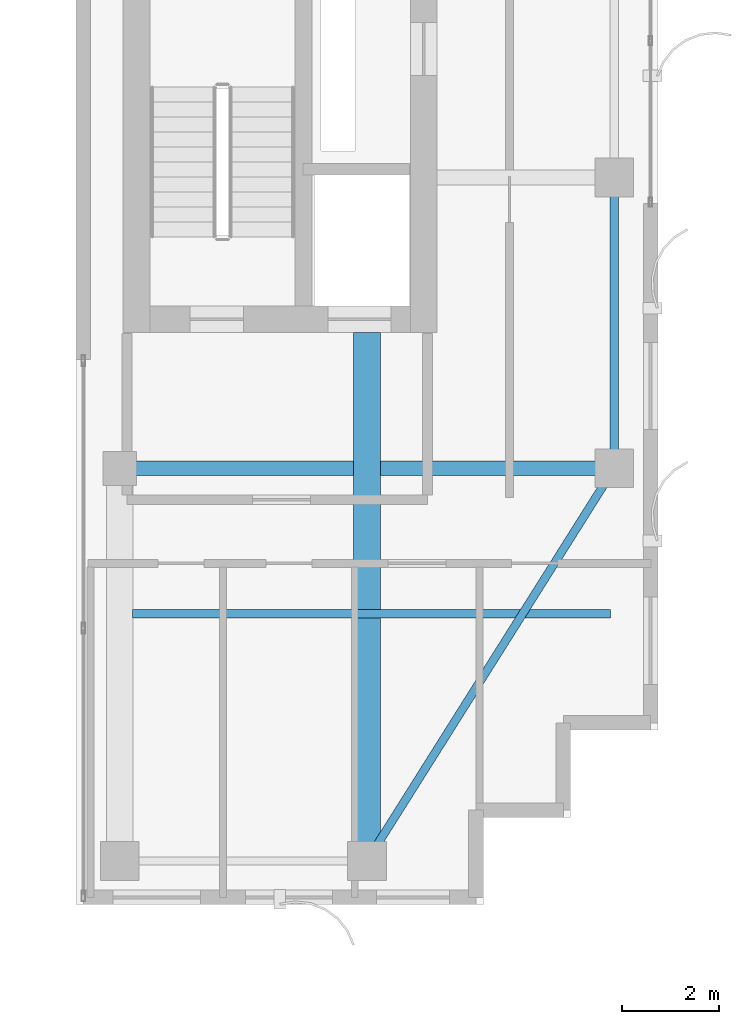
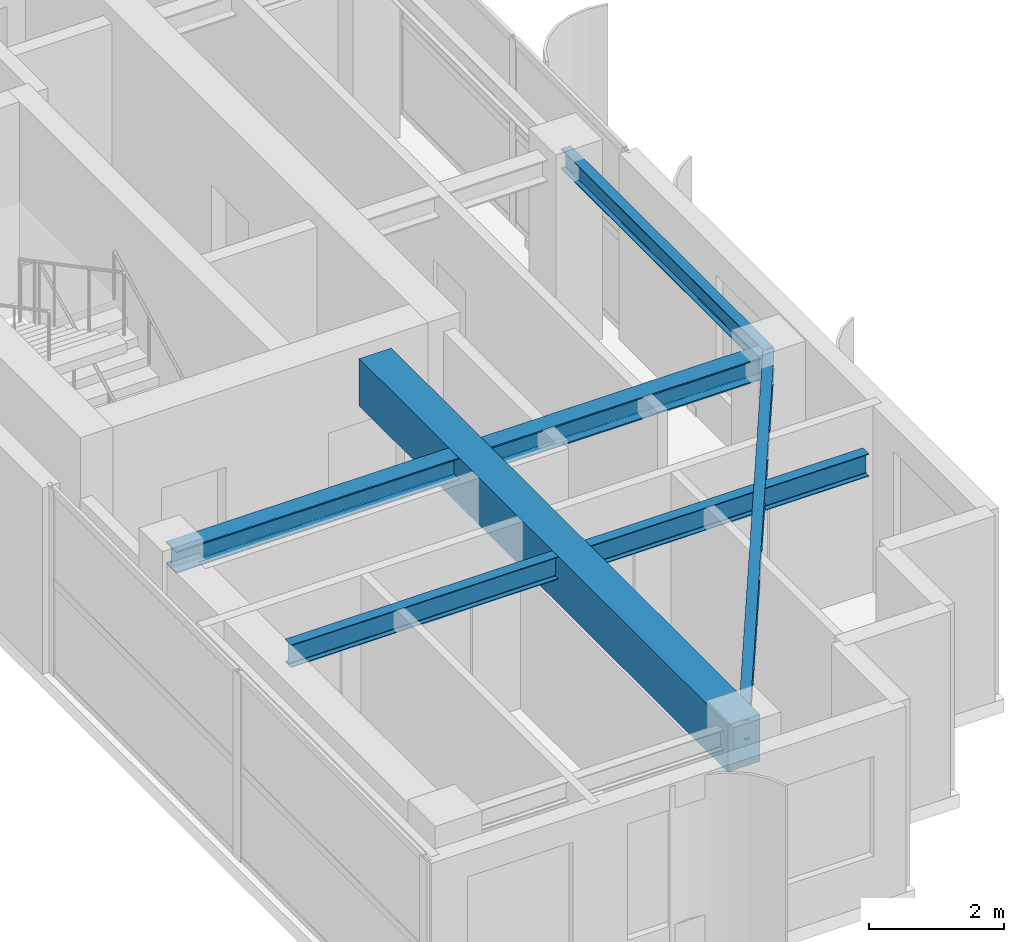
# One storey, part 11 of 22: 5 beams.
"""IFC4 building model written with IfcOpenShell, lengths in metres."""

import ifcopenshell
import ifcopenshell.guid

model = None  # the IFC model being written
_history = None  # IfcOwnerHistory: only IFC2X3 demands one
_inside = {}  # id of a spatial element -> (the spatial element, [elements in it])
_under = {}  # id of a project, library or spatial element -> (it, [spatial elements below it])
_declared = {}  # id of a project -> (the project, [libraries it declares])
_typed = {}  # id of a type object -> (the type object, [elements of that type])
_made_of = {}  # id of a material, layer set ... -> (it, [elements and type objects made of it])


def new_model(schema):
    """Start an empty IFC model of exactly this schema.

    Asked for "IFC4X3", IfcOpenShell would pick the latest addendum, in which some entities
    have other attributes; the version numbers below select the first issue.
    IFC2X3 requires an IfcOwnerHistory on every rooted entity: one is made here for all.
    """
    global model, _history
    if schema == "IFC4X3":
        model = ifcopenshell.file(schema_version=(4, 3, 0, 0))
    else:
        model = ifcopenshell.file(schema=schema)
    _inside.clear()
    _under.clear()
    _declared.clear()
    _typed.clear()
    _made_of.clear()
    _history = None
    if model.schema == "IFC2X3":
        org = make("IfcOrganization", Name="unknown")
        user = make(
            "IfcPersonAndOrganization",
            ThePerson=make("IfcPerson", FamilyName="unknown"),
            TheOrganization=org,
        )
        app = make(
            "IfcApplication",
            ApplicationDeveloper=org,
            Version="unknown",
            ApplicationFullName="unknown",
            ApplicationIdentifier="unknown",
        )
        _history = make(
            "IfcOwnerHistory",
            OwningUser=user,
            OwningApplication=app,
            ChangeAction="ADDED",
            CreationDate=0,
        )
    return model


def make(cls, **values):
    """One entity of the class cls with the attributes given. An attribute that is None is left unset."""
    return model.create_entity(
        cls, **{name: value for name, value in values.items() if value is not None}
    )


def rooted(cls, **values):
    """An entity with a GlobalId (a new one), such as an element, a storey or a relation."""
    return make(cls, GlobalId=ifcopenshell.guid.new(), OwnerHistory=_history, **values)


def si_unit(unit_type, name, prefix=None):
    """IfcSIUnit, for example si_unit("LENGTHUNIT", "METRE", prefix="MILLI")."""
    return make("IfcSIUnit", UnitType=unit_type, Prefix=prefix, Name=name)


def assignment(units):
    """IfcUnitAssignment: the units of a project."""
    return None if units is None else make("IfcUnitAssignment", Units=units)


def point(xyz):
    """IfcCartesianPoint."""
    return None if xyz is None else make("IfcCartesianPoint", Coordinates=xyz)


def direction(xyz):
    """IfcDirection."""
    return None if xyz is None else make("IfcDirection", DirectionRatios=xyz)


def frame(location, z_axis=None, x_axis=None):
    """IfcAxis2Placement3D, a coordinate frame: its origin and axes. An axis left out is left unset."""
    return make(
        "IfcAxis2Placement3D",
        Location=point(location),
        Axis=direction(z_axis),
        RefDirection=direction(x_axis),
    )


def frame_2d(location, x_axis=None):
    """IfcAxis2Placement2D, a coordinate frame in the plane: its origin and x axis."""
    return make(
        "IfcAxis2Placement2D", Location=point(location), RefDirection=direction(x_axis)
    )


def origin():
    """The frame at (0, 0, 0) with its axes left unset."""
    return frame((0.0, 0.0, 0.0))


def origin_2d():
    """The frame at (0, 0) in the plane with its x axis left unset."""
    return frame_2d((0.0, 0.0))


def place(relative_to, where):
    """IfcLocalPlacement: puts the frame where relative to a parent placement (None: the world)."""
    return make(
        "IfcLocalPlacement", PlacementRelTo=relative_to, RelativePlacement=where
    )


def context(
    kind, dimensions, precision=None, world=None, true_north=None, identifier=None
):
    """IfcGeometricRepresentationContext, for example the 3D "Model" context."""
    return make(
        "IfcGeometricRepresentationContext",
        ContextIdentifier=identifier,
        ContextType=kind,
        CoordinateSpaceDimension=dimensions,
        Precision=precision,
        WorldCoordinateSystem=world,
        TrueNorth=true_north,
    )


def subcontext(parent, identifier, kind, view, scale=None):
    """IfcGeometricRepresentationSubContext, for example "Body" below "Model"."""
    return make(
        "IfcGeometricRepresentationSubContext",
        ContextIdentifier=identifier,
        ContextType=kind,
        ParentContext=parent,
        TargetScale=scale,
        TargetView=view,
    )


def project(units=None, contexts=None):
    """IfcProject with its units and contexts."""
    return rooted(
        "IfcProject",
        Name="project",
        RepresentationContexts=contexts,
        UnitsInContext=assignment(units),
    )


def spatial(cls, under=None, at=None, **own):
    """A site, building, storey or space (cls), placed at a placement, below another one or the project."""
    s = rooted(cls, ObjectPlacement=at, **own)
    if under is not None:
        _under.setdefault(under.id(), (under, []))[1].append(s)
    return s


def profile(cls, at=None, kind="AREA", **sizes):
    """A parametric profile (cls). Its sizes go by their IFC names, for example OverallWidth=200.0."""
    return make(cls, ProfileType=kind, Position=at, **sizes)


def rectangle(**sizes):
    """IfcRectangleProfileDef."""
    return profile("IfcRectangleProfileDef", **sizes)


def i_section(**sizes):
    """IfcIShapeProfileDef."""
    return profile("IfcIShapeProfileDef", **sizes)


def extrude(swept, where, along, depth):
    """IfcExtrudedAreaSolid: the profile swept, set in the frame where, extruded along a direction by depth."""
    return make(
        "IfcExtrudedAreaSolid",
        SweptArea=swept,
        Position=where,
        ExtrudedDirection=direction(along),
        Depth=depth,
    )


def shape(context_of_items, identifier, shape_type, items):
    """IfcShapeRepresentation: the items that make up one representation, for example the "Body"."""
    return make(
        "IfcShapeRepresentation",
        ContextOfItems=context_of_items,
        RepresentationIdentifier=identifier,
        RepresentationType=shape_type,
        Items=items,
    )


def source(mapping_origin, context_of_items, identifier, shape_type, items):
    """IfcRepresentationMap: a shape defined once, which mapped items show again and again."""
    return make(
        "IfcRepresentationMap",
        MappingOrigin=mapping_origin,
        MappedRepresentation=shape(context_of_items, identifier, shape_type, items),
    )


def transform(
    local_origin,
    x_axis=None,
    y_axis=None,
    z_axis=None,
    scale=None,
    scale2=None,
    scale3=None,
    uniform=True,
):
    """IfcCartesianTransformationOperator3D, or its non-uniform kind. x_axis, y_axis, z_axis: its Axis1, 2, 3."""
    if uniform:
        return make(
            "IfcCartesianTransformationOperator3D",
            Axis1=direction(x_axis),
            Axis2=direction(y_axis),
            LocalOrigin=point(local_origin),
            Scale=scale,
            Axis3=direction(z_axis),
        )
    return make(
        "IfcCartesianTransformationOperator3DnonUniform",
        Axis1=direction(x_axis),
        Axis2=direction(y_axis),
        LocalOrigin=point(local_origin),
        Scale=scale,
        Axis3=direction(z_axis),
        Scale2=scale2,
        Scale3=scale3,
    )


def mapped(mapping_source, mapping_target):
    """IfcMappedItem: shows the shape of a source again, moved by a transform."""
    return make(
        "IfcMappedItem", MappingSource=mapping_source, MappingTarget=mapping_target
    )


def material(Name=None, Category=None):
    """IfcMaterial."""
    return make("IfcMaterial", Name=Name, Category=Category)


def material_profile(
    of_material, cross_section, Name=None, Category=None, Priority=None
):
    """IfcMaterialProfile: a cross section and its material."""
    return make(
        "IfcMaterialProfile",
        Name=Name,
        Material=of_material,
        Profile=cross_section,
        Priority=Priority,
        Category=Category,
    )


def profile_set(profiles, Name=None, composite=None):
    """IfcMaterialProfileSet."""
    return make(
        "IfcMaterialProfileSet",
        Name=Name,
        MaterialProfiles=profiles,
        CompositeProfile=composite,
    )


def made_of(thing, what):
    """Note that an element or type object is made of a material, layer set ...; save() writes the relation."""
    if what is not None:
        _made_of.setdefault(what.id(), (what, []))[1].append(thing)
    return thing


def type_object(cls, material=None, **own):
    """A type object (cls), such as IfcWallType, which elements share."""
    return made_of(rooted(cls, **own), material)


def element(
    cls,
    number,
    at=None,
    inside=None,
    cuts=None,
    type_object=None,
    material=None,
    context=None,
    identifier="Body",
    shape_type=None,
    held_by="IfcProductDefinitionShape",
    body=None,
    shapes=None,
    **own,
):
    """One element of the class cls, such as IfcWall. Its Tag is "e" and its number.

    at: its placement. inside: the storey or other place that contains it. cuts: it is an
    opening in that element (IfcRelVoidsElement). A single representation is given by context,
    identifier, shape_type and body (its items); several are given by shapes. held_by: the class
    of the entity that holds the representations. save() writes the other relations.
    """
    e = rooted(cls, Tag="e%d" % number, ObjectPlacement=at, **own)
    if body is not None:
        shapes = [shape(context, identifier, shape_type, body)]
    if shapes is not None:
        e.Representation = make(held_by, Representations=shapes)
    if inside is not None:
        _inside.setdefault(inside.id(), (inside, []))[1].append(e)
    if cuts is not None:
        rooted(
            "IfcRelVoidsElement", RelatingBuildingElement=cuts, RelatedOpeningElement=e
        )
    if type_object is not None:
        _typed.setdefault(type_object.id(), (type_object, []))[1].append(e)
    return made_of(e, material)


def aggregate(whole, parts):
    """IfcRelAggregates: a whole, such as a stair, and the parts it consists of."""
    return rooted("IfcRelAggregates", RelatingObject=whole, RelatedObjects=parts)


def save(model, path):
    """Write the relations noted so far, then the file.

    IfcRelAggregates (storeys below a building ...), IfcRelContainedInSpatialStructure (elements
    in a storey), IfcRelDefinesByType, IfcRelAssociatesMaterial and IfcRelDeclares: one each for
    every whole, place, type object, material and project.
    """
    for whole, parts in _under.values():
        aggregate(whole, parts)
    for where, things in _inside.values():
        rooted(
            "IfcRelContainedInSpatialStructure",
            RelatedElements=things,
            RelatingStructure=where,
        )
    for kind, things in _typed.values():
        rooted("IfcRelDefinesByType", RelatedObjects=things, RelatingType=kind)
    for what, things in _made_of.values():
        rooted("IfcRelAssociatesMaterial", RelatedObjects=things, RelatingMaterial=what)
    for by, libraries in _declared.values():
        rooted("IfcRelDeclares", RelatingContext=by, RelatedDefinitions=libraries)
    model.write(path)


model = new_model("IFC4")

# Units and contexts
model_context = context("Model", 3, precision=1e-05, world=origin(), true_north=direction((0.0, 1.0)))
body_context = subcontext(model_context, "Body", "Model", "MODEL_VIEW")
ifc_project = project(units=[si_unit("LENGTHUNIT", "METRE"), si_unit("AREAUNIT", "SQUARE_METRE"), si_unit("VOLUMEUNIT", "CUBIC_METRE"), si_unit("PLANEANGLEUNIT", "RADIAN"), si_unit("MASSUNIT", "GRAM", prefix="KILO")], contexts=[model_context])

# Site, building, storey
site_placement = place(None, origin())
site = spatial("IfcSite", under=ifc_project, at=site_placement, CompositionType="ELEMENT")
building_placement = place(site_placement, origin())
building = spatial("IfcBuilding", under=site, at=building_placement, Name="Khoralis Quay Care Tower", CompositionType="ELEMENT")
storey_placement = place(building_placement, frame((0.0, 0.0, 256.5)))
storey = spatial("IfcBuildingStorey", under=building, at=storey_placement, Name="L67", CompositionType="ELEMENT", Elevation=256.5)

# Beams
ifc_material_1 = material(Name="Steel S355", Category="steel")
ifc_material_profile_1 = material_profile(ifc_material_1, i_section(OverallWidth=0.169921875, OverallDepth=0.360107421875, WebThickness=0.008056640625, FlangeThickness=0.0126953125, FilletRadius=0.01806640625, at=origin_2d()), Name="Steel S355")
ifc_profile_set_1 = profile_set([ifc_material_profile_1], Name="Steel S355")
beam_type_1 = type_object("IfcBeamType", Name="BM-IPE360", PredefinedType="SPANDREL", material=ifc_profile_set_1)
shared_shape_1 = source(origin(), body_context, "Body", "SweptSolid", [
    extrude(i_section(OverallWidth=0.169921875, OverallDepth=0.360107421875, WebThickness=0.008056640625, FlangeThickness=0.0126953125, FilletRadius=0.01806640625, at=origin_2d()), origin(), (0.0, 0.0, 1.0), 6.0),
])
beam_1_placement = place(storey_placement, frame((41.10009765625, 12.0, 3.179931640625), z_axis=(0.0, 1.0, 0.0), x_axis=(-1.0, 0.0, 0.0)))
element("IfcBeam", 1, at=beam_1_placement, inside=storey, type_object=beam_type_1, Name="BM-TSP-L67-09", PredefinedType="SPANDREL", context=body_context, shape_type="MappedRepresentation", body=[
    mapped(shared_shape_1, transform((0.0, 0.0, 0.0), scale=1.0)),
])
shared_shape_2 = source(origin(), body_context, "Body", "SweptSolid", [
    extrude(i_section(OverallWidth=0.169921875, OverallDepth=0.360107421875, WebThickness=0.008056640625, FlangeThickness=0.0126953125, FilletRadius=0.01806640625, at=origin_2d()), origin(), (0.0, 0.0, 1.0), 9.572021484375),
])
beam_2_placement = place(storey_placement, frame((36.0, 3.89990234375, 3.179931640625), z_axis=(0.532815975602, 0.846231136359, 0.0), x_axis=(-0.846231136359, 0.532815975602, 0.0)))
element("IfcBeam", 2, at=beam_2_placement, inside=storey, type_object=beam_type_1, Name="BM-TCR-L67-14", PredefinedType="SPANDREL", context=body_context, shape_type="MappedRepresentation", body=[
    mapped(shared_shape_2, transform((0.0, 0.0, 0.0), scale=1.0)),
])
ifc_material_profile_2 = material_profile(ifc_material_1, i_section(OverallWidth=0.300048828125, OverallDepth=0.39990234375, WebThickness=0.013427734375, FlangeThickness=0.02392578125, FilletRadius=0.027099609375, at=origin_2d()), Name="Steel S355")
ifc_profile_set_2 = profile_set([ifc_material_profile_2], Name="Steel S355")
beam_type_2 = type_object("IfcBeamType", Name="BM-HEB400", PredefinedType="BEAM", material=ifc_profile_set_2)
shared_shape_3 = source(origin(), body_context, "Body", "SweptSolid", [
    extrude(i_section(OverallWidth=0.300048828125, OverallDepth=0.39990234375, WebThickness=0.013427734375, FlangeThickness=0.02392578125, FilletRadius=0.027099609375, at=origin_2d()), origin(), (0.0, 0.0, 1.0), 10.2001953125),
])
beam_3_placement = place(storey_placement, frame((30.89990234375, 12.0, 3.159912109375), z_axis=(1.0, 0.0, 0.0), x_axis=(0.0, 1.0, 0.0)))
element("IfcBeam", 3, at=beam_3_placement, inside=storey, type_object=beam_type_2, Name="BM-TGXE-L67-120", PredefinedType="BEAM", context=body_context, shape_type="MappedRepresentation", body=[
    mapped(shared_shape_3, transform((0.0, 0.0, 0.0), scale=1.0)),
])
ifc_material_2 = material(Name="Concrete C50/60", Category="concrete")
ifc_material_profile_3 = material_profile(ifc_material_2, rectangle(XDim=0.550048828125, YDim=0.85009765625, at=origin_2d()), Name="Concrete C50/60")
ifc_profile_set_3 = profile_set([ifc_material_profile_3], Name="Concrete C50/60")
beam_type_3 = type_object("IfcBeamType", Name="BM-RC550X850", PredefinedType="BEAM", material=ifc_profile_set_3)
shared_shape_4 = source(origin(), body_context, "Body", "SweptSolid", [
    extrude(rectangle(XDim=0.550048828125, YDim=0.85009765625, at=origin_2d()), origin(), (0.0, 0.0, 1.0), 10.902099609375),
])
beam_4_placement = place(storey_placement, frame((36.0, 3.89990234375, 2.93505859375), z_axis=(0.0, 1.0, 0.0), x_axis=(-1.0, 0.0, 0.0)))
element("IfcBeam", 4, at=beam_4_placement, inside=storey, type_object=beam_type_3, Name="BM-TGYS-L67-360", PredefinedType="BEAM", context=body_context, shape_type="MappedRepresentation", body=[
    mapped(shared_shape_4, transform((0.0, 0.0, 0.0), scale=1.0)),
])
ifc_material_profile_4 = material_profile(ifc_material_1, i_section(OverallWidth=0.177978515625, OverallDepth=0.406982421875, WebThickness=0.0078125, FlangeThickness=0.0126953125, FilletRadius=0.012939453125, at=origin_2d()), Name="Steel S355")
ifc_profile_set_4 = profile_set([ifc_material_profile_4], Name="Steel S355")
beam_type_4 = type_object("IfcBeamType", Name="BM-W410X60", PredefinedType="JOIST", material=ifc_profile_set_4)
shared_shape_5 = source(origin(), body_context, "Body", "SweptSolid", [
    extrude(i_section(OverallWidth=0.177978515625, OverallDepth=0.406982421875, WebThickness=0.0078125, FlangeThickness=0.0126953125, FilletRadius=0.012939453125, at=origin_2d()), origin(), (0.0, 0.0, 1.0), 9.865966796875),
])
beam_5_placement = place(storey_placement, frame((31.1630859375, 9.0, 3.156494140625), z_axis=(1.0, 0.0, 0.0), x_axis=(0.0, 1.0, 0.0)))
element("IfcBeam", 5, at=beam_5_placement, inside=storey, type_object=beam_type_4, Name="BM-TJS-L67-18", PredefinedType="JOIST", context=body_context, shape_type="MappedRepresentation", body=[
    mapped(shared_shape_5, transform((0.0, 0.0, 0.0), scale=1.0)),
])

save(model, "model.ifc")
